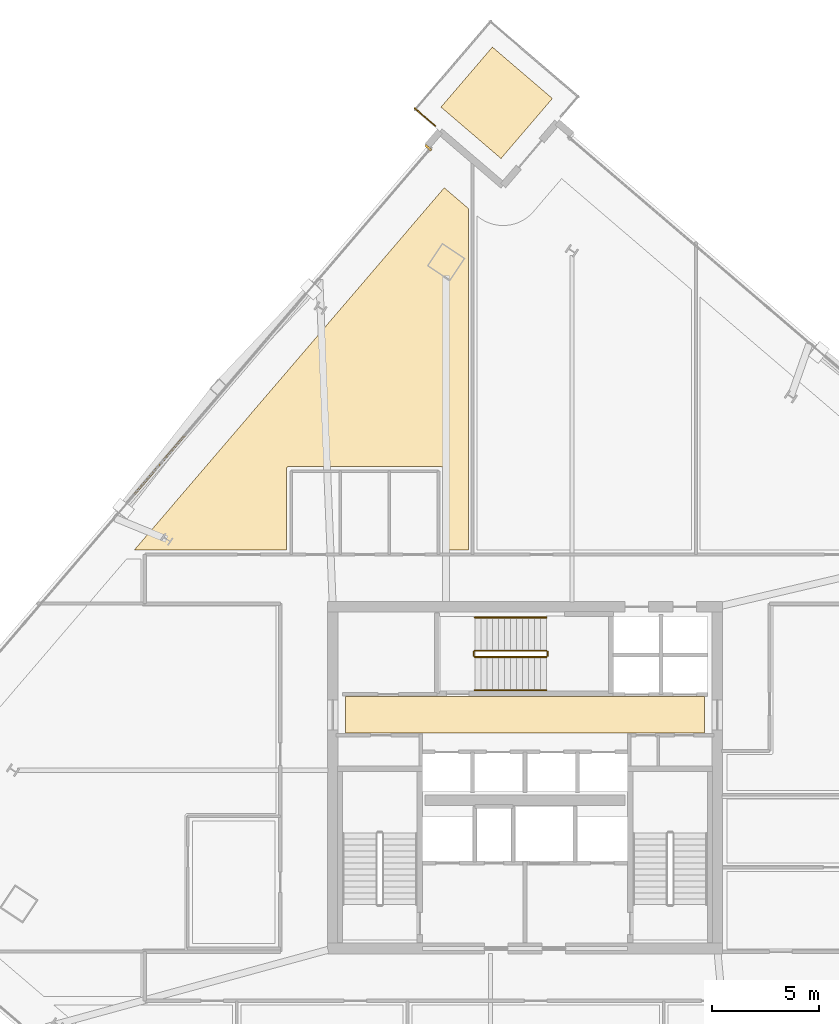
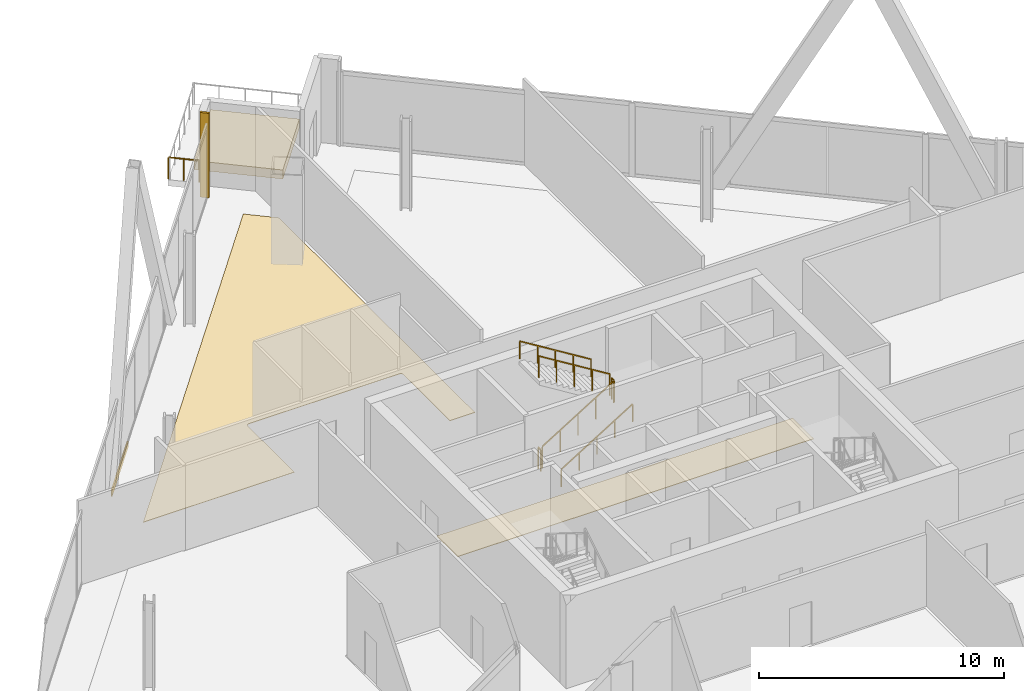
# One storey, part 25 of 26: 7 railings, 5 coverings.
"""IFC4 building model written with IfcOpenShell, lengths in metres."""

import ifcopenshell
import ifcopenshell.guid

model = None  # the IFC model being written
_history = None  # IfcOwnerHistory: only IFC2X3 demands one
_inside = {}  # id of a spatial element -> (the spatial element, [elements in it])
_under = {}  # id of a project, library or spatial element -> (it, [spatial elements below it])
_declared = {}  # id of a project -> (the project, [libraries it declares])
_typed = {}  # id of a type object -> (the type object, [elements of that type])
_made_of = {}  # id of a material, layer set ... -> (it, [elements and type objects made of it])


def new_model(schema):
    """Start an empty IFC model of exactly this schema.

    Asked for "IFC4X3", IfcOpenShell would pick the latest addendum, in which some entities
    have other attributes; the version numbers below select the first issue.
    IFC2X3 requires an IfcOwnerHistory on every rooted entity: one is made here for all.
    """
    global model, _history
    if schema == "IFC4X3":
        model = ifcopenshell.file(schema_version=(4, 3, 0, 0))
    else:
        model = ifcopenshell.file(schema=schema)
    _inside.clear()
    _under.clear()
    _declared.clear()
    _typed.clear()
    _made_of.clear()
    _history = None
    if model.schema == "IFC2X3":
        org = make("IfcOrganization", Name="unknown")
        user = make(
            "IfcPersonAndOrganization",
            ThePerson=make("IfcPerson", FamilyName="unknown"),
            TheOrganization=org,
        )
        app = make(
            "IfcApplication",
            ApplicationDeveloper=org,
            Version="unknown",
            ApplicationFullName="unknown",
            ApplicationIdentifier="unknown",
        )
        _history = make(
            "IfcOwnerHistory",
            OwningUser=user,
            OwningApplication=app,
            ChangeAction="ADDED",
            CreationDate=0,
        )
    return model


def make(cls, **values):
    """One entity of the class cls with the attributes given. An attribute that is None is left unset."""
    return model.create_entity(
        cls, **{name: value for name, value in values.items() if value is not None}
    )


def rooted(cls, **values):
    """An entity with a GlobalId (a new one), such as an element, a storey or a relation."""
    return make(cls, GlobalId=ifcopenshell.guid.new(), OwnerHistory=_history, **values)


def si_unit(unit_type, name, prefix=None):
    """IfcSIUnit, for example si_unit("LENGTHUNIT", "METRE", prefix="MILLI")."""
    return make("IfcSIUnit", UnitType=unit_type, Prefix=prefix, Name=name)


def assignment(units):
    """IfcUnitAssignment: the units of a project."""
    return None if units is None else make("IfcUnitAssignment", Units=units)


def point(xyz):
    """IfcCartesianPoint."""
    return None if xyz is None else make("IfcCartesianPoint", Coordinates=xyz)


def direction(xyz):
    """IfcDirection."""
    return None if xyz is None else make("IfcDirection", DirectionRatios=xyz)


def frame(location, z_axis=None, x_axis=None):
    """IfcAxis2Placement3D, a coordinate frame: its origin and axes. An axis left out is left unset."""
    return make(
        "IfcAxis2Placement3D",
        Location=point(location),
        Axis=direction(z_axis),
        RefDirection=direction(x_axis),
    )


def frame_2d(location, x_axis=None):
    """IfcAxis2Placement2D, a coordinate frame in the plane: its origin and x axis."""
    return make(
        "IfcAxis2Placement2D", Location=point(location), RefDirection=direction(x_axis)
    )


def origin():
    """The frame at (0, 0, 0) with its axes left unset."""
    return frame((0.0, 0.0, 0.0))


def origin_2d():
    """The frame at (0, 0) in the plane with its x axis left unset."""
    return frame_2d((0.0, 0.0))


def place(relative_to, where):
    """IfcLocalPlacement: puts the frame where relative to a parent placement (None: the world)."""
    return make(
        "IfcLocalPlacement", PlacementRelTo=relative_to, RelativePlacement=where
    )


def context(
    kind, dimensions, precision=None, world=None, true_north=None, identifier=None
):
    """IfcGeometricRepresentationContext, for example the 3D "Model" context."""
    return make(
        "IfcGeometricRepresentationContext",
        ContextIdentifier=identifier,
        ContextType=kind,
        CoordinateSpaceDimension=dimensions,
        Precision=precision,
        WorldCoordinateSystem=world,
        TrueNorth=true_north,
    )


def subcontext(parent, identifier, kind, view, scale=None):
    """IfcGeometricRepresentationSubContext, for example "Body" below "Model"."""
    return make(
        "IfcGeometricRepresentationSubContext",
        ContextIdentifier=identifier,
        ContextType=kind,
        ParentContext=parent,
        TargetScale=scale,
        TargetView=view,
    )


def project(units=None, contexts=None):
    """IfcProject with its units and contexts."""
    return rooted(
        "IfcProject",
        Name="project",
        RepresentationContexts=contexts,
        UnitsInContext=assignment(units),
    )


def spatial(cls, under=None, at=None, **own):
    """A site, building, storey or space (cls), placed at a placement, below another one or the project."""
    s = rooted(cls, ObjectPlacement=at, **own)
    if under is not None:
        _under.setdefault(under.id(), (under, []))[1].append(s)
    return s


def polyline(points):
    """IfcPolyline through the points."""
    return make("IfcPolyline", Points=[point(p) for p in points])


def profile(cls, at=None, kind="AREA", **sizes):
    """A parametric profile (cls). Its sizes go by their IFC names, for example OverallWidth=200.0."""
    return make(cls, ProfileType=kind, Position=at, **sizes)


def rectangle(**sizes):
    """IfcRectangleProfileDef."""
    return profile("IfcRectangleProfileDef", **sizes)


def outline(outer, holes=None, kind="AREA"):
    """IfcArbitraryClosedProfileDef: a profile drawn as a closed curve; with holes, ...WithVoids."""
    if holes is None:
        return make("IfcArbitraryClosedProfileDef", ProfileType=kind, OuterCurve=outer)
    return make(
        "IfcArbitraryProfileDefWithVoids",
        ProfileType=kind,
        OuterCurve=outer,
        InnerCurves=holes,
    )


def extrude(swept, where, along, depth):
    """IfcExtrudedAreaSolid: the profile swept, set in the frame where, extruded along a direction by depth."""
    return make(
        "IfcExtrudedAreaSolid",
        SweptArea=swept,
        Position=where,
        ExtrudedDirection=direction(along),
        Depth=depth,
    )


def shape(context_of_items, identifier, shape_type, items):
    """IfcShapeRepresentation: the items that make up one representation, for example the "Body"."""
    return make(
        "IfcShapeRepresentation",
        ContextOfItems=context_of_items,
        RepresentationIdentifier=identifier,
        RepresentationType=shape_type,
        Items=items,
    )


def source(mapping_origin, context_of_items, identifier, shape_type, items):
    """IfcRepresentationMap: a shape defined once, which mapped items show again and again."""
    return make(
        "IfcRepresentationMap",
        MappingOrigin=mapping_origin,
        MappedRepresentation=shape(context_of_items, identifier, shape_type, items),
    )


def transform(
    local_origin,
    x_axis=None,
    y_axis=None,
    z_axis=None,
    scale=None,
    scale2=None,
    scale3=None,
    uniform=True,
):
    """IfcCartesianTransformationOperator3D, or its non-uniform kind. x_axis, y_axis, z_axis: its Axis1, 2, 3."""
    if uniform:
        return make(
            "IfcCartesianTransformationOperator3D",
            Axis1=direction(x_axis),
            Axis2=direction(y_axis),
            LocalOrigin=point(local_origin),
            Scale=scale,
            Axis3=direction(z_axis),
        )
    return make(
        "IfcCartesianTransformationOperator3DnonUniform",
        Axis1=direction(x_axis),
        Axis2=direction(y_axis),
        LocalOrigin=point(local_origin),
        Scale=scale,
        Axis3=direction(z_axis),
        Scale2=scale2,
        Scale3=scale3,
    )


def mapped(mapping_source, mapping_target):
    """IfcMappedItem: shows the shape of a source again, moved by a transform."""
    return make(
        "IfcMappedItem", MappingSource=mapping_source, MappingTarget=mapping_target
    )


def material(Name=None, Category=None):
    """IfcMaterial."""
    return make("IfcMaterial", Name=Name, Category=Category)


def layer(
    of_material, thickness, ventilated=None, Name=None, Category=None, Priority=None
):
    """IfcMaterialLayer: one layer of a wall or slab, of a material (None: an air gap)."""
    return make(
        "IfcMaterialLayer",
        Material=of_material,
        LayerThickness=thickness,
        IsVentilated=ventilated,
        Name=Name,
        Category=Category,
        Priority=Priority,
    )


def layer_set(layers, Name=None):
    """IfcMaterialLayerSet."""
    return make("IfcMaterialLayerSet", MaterialLayers=layers, LayerSetName=Name)


def made_of(thing, what):
    """Note that an element or type object is made of a material, layer set ...; save() writes the relation."""
    if what is not None:
        _made_of.setdefault(what.id(), (what, []))[1].append(thing)
    return thing


def type_object(cls, material=None, **own):
    """A type object (cls), such as IfcWallType, which elements share."""
    return made_of(rooted(cls, **own), material)


def element(
    cls,
    number,
    at=None,
    inside=None,
    cuts=None,
    type_object=None,
    material=None,
    context=None,
    identifier="Body",
    shape_type=None,
    held_by="IfcProductDefinitionShape",
    body=None,
    shapes=None,
    **own,
):
    """One element of the class cls, such as IfcWall. Its Tag is "e" and its number.

    at: its placement. inside: the storey or other place that contains it. cuts: it is an
    opening in that element (IfcRelVoidsElement). A single representation is given by context,
    identifier, shape_type and body (its items); several are given by shapes. held_by: the class
    of the entity that holds the representations. save() writes the other relations.
    """
    e = rooted(cls, Tag="e%d" % number, ObjectPlacement=at, **own)
    if body is not None:
        shapes = [shape(context, identifier, shape_type, body)]
    if shapes is not None:
        e.Representation = make(held_by, Representations=shapes)
    if inside is not None:
        _inside.setdefault(inside.id(), (inside, []))[1].append(e)
    if cuts is not None:
        rooted(
            "IfcRelVoidsElement", RelatingBuildingElement=cuts, RelatedOpeningElement=e
        )
    if type_object is not None:
        _typed.setdefault(type_object.id(), (type_object, []))[1].append(e)
    return made_of(e, material)


def aggregate(whole, parts):
    """IfcRelAggregates: a whole, such as a stair, and the parts it consists of."""
    return rooted("IfcRelAggregates", RelatingObject=whole, RelatedObjects=parts)


def save(model, path):
    """Write the relations noted so far, then the file.

    IfcRelAggregates (storeys below a building ...), IfcRelContainedInSpatialStructure (elements
    in a storey), IfcRelDefinesByType, IfcRelAssociatesMaterial and IfcRelDeclares: one each for
    every whole, place, type object, material and project.
    """
    for whole, parts in _under.values():
        aggregate(whole, parts)
    for where, things in _inside.values():
        rooted(
            "IfcRelContainedInSpatialStructure",
            RelatedElements=things,
            RelatingStructure=where,
        )
    for kind, things in _typed.values():
        rooted("IfcRelDefinesByType", RelatedObjects=things, RelatingType=kind)
    for what, things in _made_of.values():
        rooted("IfcRelAssociatesMaterial", RelatedObjects=things, RelatingMaterial=what)
    for by, libraries in _declared.values():
        rooted("IfcRelDeclares", RelatingContext=by, RelatedDefinitions=libraries)
    model.write(path)


model = new_model("IFC4")

# Units and contexts
model_context = context("Model", 3, precision=1e-05, world=origin(), true_north=direction((0.0, 1.0)))
body_context = subcontext(model_context, "Body", "Model", "MODEL_VIEW")
ifc_project = project(units=[si_unit("LENGTHUNIT", "METRE"), si_unit("AREAUNIT", "SQUARE_METRE"), si_unit("VOLUMEUNIT", "CUBIC_METRE"), si_unit("PLANEANGLEUNIT", "RADIAN"), si_unit("MASSUNIT", "GRAM", prefix="KILO")], contexts=[model_context])

# Site, building, storey
site_placement = place(None, origin())
site = spatial("IfcSite", under=ifc_project, at=site_placement, CompositionType="ELEMENT")
building_placement = place(site_placement, origin())
building = spatial("IfcBuilding", under=site, at=building_placement, Name="Haldenkirk Collegiate Tower", CompositionType="ELEMENT")
storey_placement = place(building_placement, frame((0.0, 0.0, 193.949951171875)))
storey = spatial("IfcBuildingStorey", under=building, at=storey_placement, Name="L48", CompositionType="ELEMENT", Elevation=193.949951171875)

# Coverings
ifc_material_1 = material(Name="Polished collegiate terrazzo", Category="concrete")
ifc_layer_1 = layer(ifc_material_1, 0.02490234375)
ifc_layer_set_1 = layer_set([ifc_layer_1], Name="Polished collegiate terrazzo")
covering_type_1 = type_object("IfcCoveringType", Name="COV-FLOOR-TERRAZZO", PredefinedType="FLOORING", material=ifc_layer_set_1)
covering_1_placement = place(storey_placement, origin())
element("IfcCovering", 1, at=covering_1_placement, inside=storey, type_object=covering_type_1, Name="L48 polished terrazzo lobby finish", PredefinedType="FLOORING", context=body_context, shape_type="SweptSolid", body=[
    extrude(outline(polyline([(27.60009765625, 28.10009765625), (44.39990234375, 28.10009765625), (44.39990234375, 29.800048828125), (27.60009765625, 29.800048828125), (27.60009765625, 28.10009765625)])), origin(), (0.0, 0.0, 1.0), 0.025146484375),
])
ifc_material_2 = material(Name="Engineered collegiate oak acoustic flooring", Category="wood")
ifc_layer_2 = layer(ifc_material_2, 0.02197265625)
ifc_layer_set_2 = layer_set([ifc_layer_2], Name="Engineered collegiate oak acoustic flooring")
covering_type_2 = type_object("IfcCoveringType", Name="COV-FLOOR-TIMBER", PredefinedType="FLOORING", material=ifc_layer_set_2)
covering_2_placement = place(storey_placement, origin())
element("IfcCovering", 2, at=covering_2_placement, inside=storey, type_object=covering_type_2, Name="L48 academic room finish 07", PredefinedType="FLOORING", context=body_context, shape_type="SweptSolid", body=[
    extrude(outline(polyline([(33.35009765625, 52.654052734375), (33.35009765625, 36.64990234375), (32.169921875, 36.64990234375), (32.169921875, 40.449951171875), (32.16943359375, 40.4619140625), (32.167724609375, 40.473388671875), (32.164794921875, 40.48486328125), (32.160888671875, 40.495849609375), (32.15576171875, 40.506591796875), (32.14990234375, 40.5166015625), (32.142822265625, 40.526123046875), (32.135009765625, 40.534912109375), (32.126220703125, 40.542724609375), (32.11669921875, 40.5498046875), (32.106689453125, 40.555908203125), (32.095947265625, 40.560791015625), (32.084716796875, 40.564697265625), (32.073486328125, 40.567626953125), (32.061767578125, 40.5693359375), (32.050048828125, 40.570068359375), (24.949951171875, 40.570068359375), (24.938232421875, 40.5693359375), (24.926513671875, 40.567626953125), (24.915283203125, 40.564697265625), (24.904052734375, 40.560791015625), (24.893310546875, 40.555908203125), (24.88330078125, 40.5498046875), (24.873779296875, 40.542724609375), (24.864990234375, 40.534912109375), (24.857177734375, 40.526123046875), (24.85009765625, 40.5166015625), (24.84423828125, 40.506591796875), (24.839111328125, 40.495849609375), (24.835205078125, 40.48486328125), (24.832275390625, 40.473388671875), (24.83056640625, 40.4619140625), (24.830078125, 40.449951171875), (24.830078125, 36.64990234375), (17.698486328125, 36.64990234375), (32.218994140625, 53.62158203125), (33.35009765625, 52.654052734375)])), origin(), (0.0, 0.0, 1.0), 0.02197265625),
])
ifc_material_3 = material(Name="Precast concrete f'c 40 MPa", Category="concrete")
ifc_layer_3 = layer(ifc_material_3, 0.449951171875)
ifc_layer_set_3 = layer_set([ifc_layer_3], Name="Precast concrete f'c 40 MPa")
covering_type_3 = type_object("IfcCoveringType", Name="COV-PLANTER-450", PredefinedType="USERDEFINED", material=ifc_layer_set_3)
covering_3_placement = place(storey_placement, origin())
element("IfcCovering", 3, at=covering_3_placement, inside=storey, type_object=covering_type_3, Name="L48 planted garden planter bed", ObjectType="PLANTER", PredefinedType="USERDEFINED", context=body_context, shape_type="SweptSolid", body=[
    extrude(outline(polyline([(34.87841796875, 54.99169921875), (32.067138671875, 57.397216796875), (34.47265625, 60.20849609375), (37.283935546875, 57.802978515625), (34.87841796875, 54.99169921875)])), origin(), (0.0, 0.0, 1.0), 0.449951171875),
])

# Railings
ifc_material_4 = material(Name="Painted architectural tubular steel", Category="steel")
railing_type_1 = type_object("IfcRailingType", Name="RLG-STAIR-GUARD-1100", PredefinedType="BALUSTRADE", material=ifc_material_4)
railing_1_placement = place(storey_placement, frame((33.64990234375, 31.64990234375, 0.173095703125)))
element("IfcRailing", 4, at=railing_1_placement, inside=storey, type_object=railing_type_1, Name="L48 ST-3 stair guard 1", PredefinedType="BALUSTRADE", context=body_context, shape_type="SweptSolid", body=[
    extrude(rectangle(XDim=0.048095703125, YDim=0.048095703125, at=origin_2d()), frame((0.0, 0.0, 1.076171875), z_axis=(0.850623216509, 0.0, 0.525775754039), x_axis=(0.0, 1.0, 0.0)), (0.0, 0.0, 1.0), 3.9501953125),
    extrude(rectangle(XDim=0.0419921875, YDim=0.0419921875, at=origin_2d()), origin(), (0.0, 0.0, 1.0), 1.052001953125),
    extrude(rectangle(XDim=0.0419921875, YDim=0.0419921875, at=origin_2d()), frame((0.840087890625, 0.0, 0.519287109375)), (0.0, 0.0, 1.0), 1.052001953125),
    extrude(rectangle(XDim=0.0419921875, YDim=0.0419921875, at=origin_2d()), frame((1.68017578125, 0.0, 1.03857421875)), (0.0, 0.0, 1.0), 1.052001953125),
    extrude(rectangle(XDim=0.0419921875, YDim=0.0419921875, at=origin_2d()), frame((2.52001953125, 0.0, 1.5576171875)), (0.0, 0.0, 1.0), 1.052001953125),
    extrude(rectangle(XDim=0.0419921875, YDim=0.0419921875, at=origin_2d()), frame((3.360107421875, 0.0, 2.076904296875)), (0.0, 0.0, 1.0), 1.052001953125),
])
railing_2_placement = place(storey_placement, frame((37.06005859375, 31.699951171875, 2.25)))
element("IfcRailing", 5, at=railing_2_placement, inside=storey, type_object=railing_type_1, Name="L48 ST-3 stair guard 2", PredefinedType="BALUSTRADE", context=body_context, shape_type="SweptSolid", body=[
    extrude(rectangle(XDim=0.048095703125, YDim=0.048095703125, at=origin_2d()), frame((0.0, 0.0, 1.076171875), z_axis=(0.0, 1.0, 0.0), x_axis=(-1.0, 0.0, 0.0)), (0.0, 0.0, 1.0), 0.199951171875),
    extrude(rectangle(XDim=0.0419921875, YDim=0.0419921875, at=origin_2d()), origin(), (0.0, 0.0, 1.0), 1.052001953125),
    extrude(rectangle(XDim=0.0419921875, YDim=0.0419921875, at=origin_2d()), frame((0.0, 0.199951171875, 0.0)), (0.0, 0.0, 1.0), 1.052001953125),
])
railing_3_placement = place(storey_placement, frame((37.010009765625, 31.949951171875, 2.423095703125)))
element("IfcRailing", 6, at=railing_3_placement, inside=storey, type_object=railing_type_1, Name="L48 ST-3 stair guard 3", PredefinedType="BALUSTRADE", context=body_context, shape_type="SweptSolid", body=[
    extrude(rectangle(XDim=0.048095703125, YDim=0.048095703125, at=origin_2d()), frame((0.0, 0.0, 1.076171875), z_axis=(-0.850623216509, 0.0, 0.525775754039), x_axis=(0.0, -1.0, 0.0)), (0.0, 0.0, 1.0), 3.9501953125),
    extrude(rectangle(XDim=0.0419921875, YDim=0.0419921875, at=origin_2d()), origin(), (0.0, 0.0, 1.0), 1.052001953125),
    extrude(rectangle(XDim=0.0419921875, YDim=0.0419921875, at=origin_2d()), frame((-0.840087890625, 0.0, 0.519287109375)), (0.0, 0.0, 1.0), 1.052001953125),
    extrude(rectangle(XDim=0.0419921875, YDim=0.0419921875, at=origin_2d()), frame((-1.68017578125, 0.0, 1.03857421875)), (0.0, 0.0, 1.0), 1.052001953125),
    extrude(rectangle(XDim=0.0419921875, YDim=0.0419921875, at=origin_2d()), frame((-2.52001953125, 0.0, 1.5576171875)), (0.0, 0.0, 1.0), 1.052001953125),
    extrude(rectangle(XDim=0.0419921875, YDim=0.0419921875, at=origin_2d()), frame((-3.360107421875, 0.0, 2.076904296875)), (0.0, 0.0, 1.0), 1.052001953125),
])
railing_4_placement = place(storey_placement, frame((33.60009765625, 31.699951171875, 0.0)))
element("IfcRailing", 7, at=railing_4_placement, inside=storey, type_object=railing_type_1, Name="L48 ST-3 stair guard 4", PredefinedType="BALUSTRADE", context=body_context, shape_type="SweptSolid", body=[
    extrude(rectangle(XDim=0.048095703125, YDim=0.048095703125, at=origin_2d()), frame((0.0, 0.0, 1.076171875), z_axis=(0.0, 1.0, 0.0), x_axis=(-1.0, 0.0, 0.0)), (0.0, 0.0, 1.0), 0.199951171875),
    extrude(rectangle(XDim=0.0419921875, YDim=0.0419921875, at=origin_2d()), origin(), (0.0, 0.0, 1.0), 1.052001953125),
    extrude(rectangle(XDim=0.0419921875, YDim=0.0419921875, at=origin_2d()), frame((0.0, 0.199951171875, 0.0)), (0.0, 0.0, 1.0), 1.052001953125),
])
railing_type_2 = type_object("IfcRailingType", Name="RLG-STAIR-HANDRAIL-900", PredefinedType="HANDRAIL", material=ifc_material_4)
railing_5_placement = place(storey_placement, frame((33.64990234375, 30.10009765625, 0.173095703125)))
element("IfcRailing", 8, at=railing_5_placement, inside=storey, type_object=railing_type_2, Name="L48 ST-3 stair handrail 1", PredefinedType="HANDRAIL", context=body_context, shape_type="SweptSolid", body=[
    extrude(rectangle(XDim=0.048095703125, YDim=0.048095703125, at=origin_2d()), frame((0.0, 0.0, 0.8759765625), z_axis=(0.850623216509, 0.0, 0.525775754039), x_axis=(0.0, 1.0, 0.0)), (0.0, 0.0, 1.0), 3.9501953125),
    extrude(rectangle(XDim=0.0419921875, YDim=0.0419921875, at=origin_2d()), origin(), (0.0, 0.0, 1.0), 0.851806640625),
    extrude(rectangle(XDim=0.0419921875, YDim=0.0419921875, at=origin_2d()), frame((0.840087890625, 0.0, 0.519287109375)), (0.0, 0.0, 1.0), 0.851806640625),
    extrude(rectangle(XDim=0.0419921875, YDim=0.0419921875, at=origin_2d()), frame((1.68017578125, 0.0, 1.03857421875)), (0.0, 0.0, 1.0), 0.851806640625),
    extrude(rectangle(XDim=0.0419921875, YDim=0.0419921875, at=origin_2d()), frame((2.52001953125, 0.0, 1.5576171875)), (0.0, 0.0, 1.0), 0.851806640625),
    extrude(rectangle(XDim=0.0419921875, YDim=0.0419921875, at=origin_2d()), frame((3.360107421875, 0.0, 2.076904296875)), (0.0, 0.0, 1.0), 0.851806640625),
])
railing_6_placement = place(storey_placement, frame((37.010009765625, 33.5, 2.423095703125)))
element("IfcRailing", 9, at=railing_6_placement, inside=storey, type_object=railing_type_2, Name="L48 ST-3 stair handrail 2", PredefinedType="HANDRAIL", context=body_context, shape_type="SweptSolid", body=[
    extrude(rectangle(XDim=0.048095703125, YDim=0.048095703125, at=origin_2d()), frame((0.0, 0.0, 0.8759765625), z_axis=(-0.850623216509, 0.0, 0.525775754039), x_axis=(0.0, -1.0, 0.0)), (0.0, 0.0, 1.0), 3.9501953125),
    extrude(rectangle(XDim=0.0419921875, YDim=0.0419921875, at=origin_2d()), origin(), (0.0, 0.0, 1.0), 0.851806640625),
    extrude(rectangle(XDim=0.0419921875, YDim=0.0419921875, at=origin_2d()), frame((-0.840087890625, 0.0, 0.519287109375)), (0.0, 0.0, 1.0), 0.851806640625),
    extrude(rectangle(XDim=0.0419921875, YDim=0.0419921875, at=origin_2d()), frame((-1.68017578125, 0.0, 1.03857421875)), (0.0, 0.0, 1.0), 0.851806640625),
    extrude(rectangle(XDim=0.0419921875, YDim=0.0419921875, at=origin_2d()), frame((-2.52001953125, 0.0, 1.5576171875)), (0.0, 0.0, 1.0), 0.851806640625),
    extrude(rectangle(XDim=0.0419921875, YDim=0.0419921875, at=origin_2d()), frame((-3.360107421875, 0.0, 2.076904296875)), (0.0, 0.0, 1.0), 0.851806640625),
])
ifc_material_5 = material(Name="Anodised architectural bronze aluminium", Category="aluminium")
railing_type_3 = type_object("IfcRailingType", Name="RLG-TERR-BALUSTRADE-1100", PredefinedType="BALUSTRADE", material=ifc_material_5)
railing_7_placement = place(storey_placement, frame((30.837158203125, 57.343994140625, 0.0)))
element("IfcRailing", 10, at=railing_7_placement, inside=storey, type_object=railing_type_3, Name="L48 terrace guard balustrade 4-1", PredefinedType="BALUSTRADE", context=body_context, shape_type="SweptSolid", body=[
    extrude(rectangle(XDim=0.048095703125, YDim=0.048095703125, at=origin_2d()), frame((0.0, 0.0, 1.076171875), z_axis=(0.759902495179, -0.650037074189, 0.0), x_axis=(0.650037074189, 0.759902495179, 0.0)), (0.0, 0.0, 1.0), 1.280029296875),
    extrude(rectangle(XDim=0.0419921875, YDim=0.0419921875, at=origin_2d()), origin(), (0.0, 0.0, 1.0), 1.052001953125),
    extrude(rectangle(XDim=0.0419921875, YDim=0.0419921875, at=origin_2d()), frame((0.486328125, -0.416015625, 0.0)), (0.0, 0.0, 1.0), 1.052001953125),
    extrude(rectangle(XDim=0.0419921875, YDim=0.0419921875, at=origin_2d()), frame((0.97265625, -0.83203125, 0.0)), (0.0, 0.0, 1.0), 1.052001953125),
])

# Coverings
ifc_layer_4 = layer(ifc_material_5, 0.06005859375)
ifc_layer_set_4 = layer_set([ifc_layer_4], Name="Anodised architectural bronze aluminium")
covering_type_4 = type_object("IfcCoveringType", Name="COV-CLAD-BRONZE-60", PredefinedType="CLADDING", material=ifc_layer_set_4)
shared_shape_1 = source(origin(), body_context, "Body", "SweptSolid", [
    extrude(rectangle(XDim=3.60009765625, YDim=0.06005859375, at=origin_2d()), origin(), (0.0, 0.0, 1.0), 0.300048828125),
])
covering_4_placement = place(storey_placement, frame((18.888427734375, 40.640380859375, -0.2998046875), z_axis=(0.0, 0.0, 1.0), x_axis=(0.650111380342, 0.759838925793, 0.0)))
element("IfcCovering", 11, at=covering_4_placement, inside=storey, type_object=covering_type_4, Name="L48 architectural bronze spandrel cladding N", PredefinedType="CLADDING", context=body_context, shape_type="MappedRepresentation", body=[
    mapped(shared_shape_1, transform((0.0, 0.0, 0.0), x_axis=(1.0, 0.0, 0.0), y_axis=(0.0, 1.0, 0.0), z_axis=(0.0, 0.0, 1.0), scale=1.0)),
])
shared_shape_2 = source(origin(), body_context, "Body", "SweptSolid", [
    extrude(rectangle(XDim=0.10009765625, YDim=0.3798828125, at=origin_2d()), origin(), (0.0, 0.0, 1.0), 4.219970703125),
])
covering_5_placement = place(storey_placement, frame((31.477783203125, 55.492919921875, 0.0), z_axis=(0.0, 0.0, 1.0), x_axis=(0.650111380342, 0.759838925793, 0.0)))
element("IfcCovering", 12, at=covering_5_placement, inside=storey, type_object=covering_type_4, Name="L48 recessed curtain-wall bronze jamb closure NJR", PredefinedType="CLADDING", context=body_context, shape_type="MappedRepresentation", body=[
    mapped(shared_shape_2, transform((0.0, 0.0, 0.0), x_axis=(1.0, 0.0, 0.0), y_axis=(0.0, 1.0, 0.0), z_axis=(0.0, 0.0, 1.0), scale=1.0)),
])

save(model, "model.ifc")
